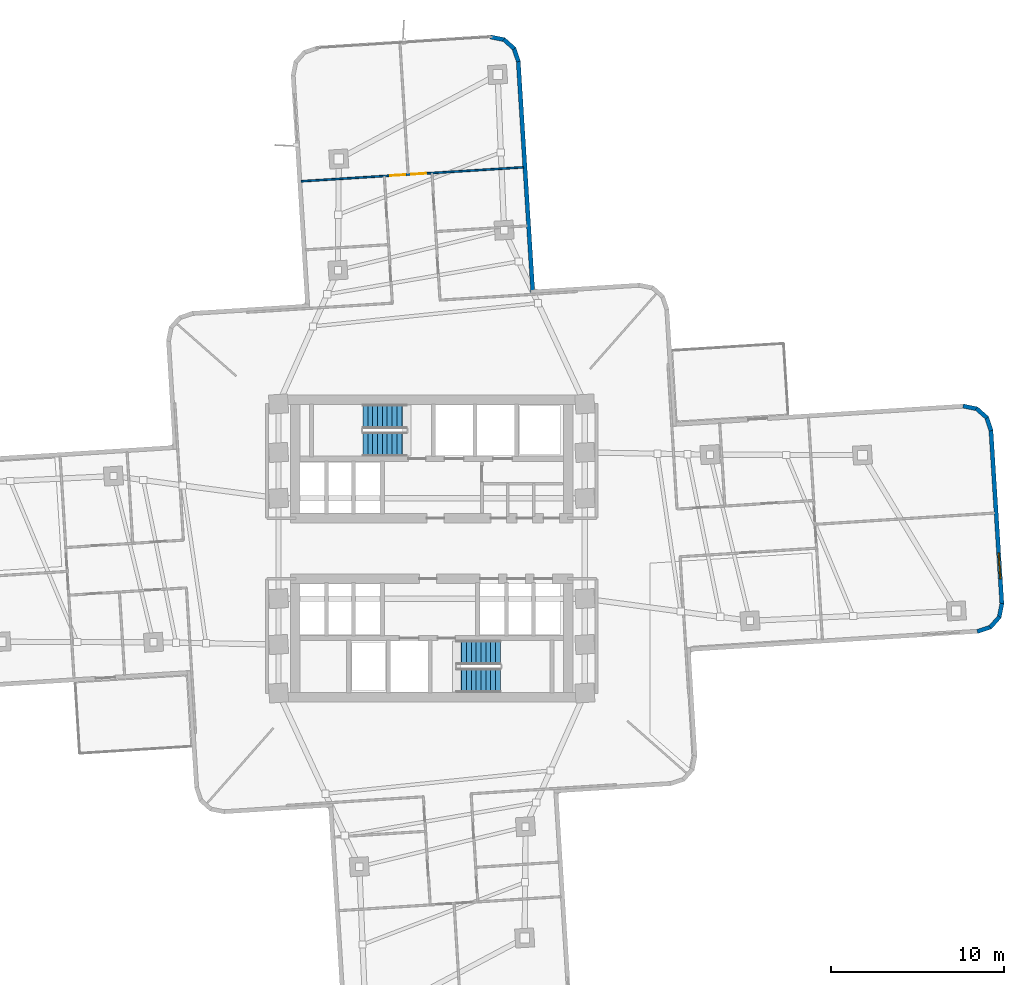
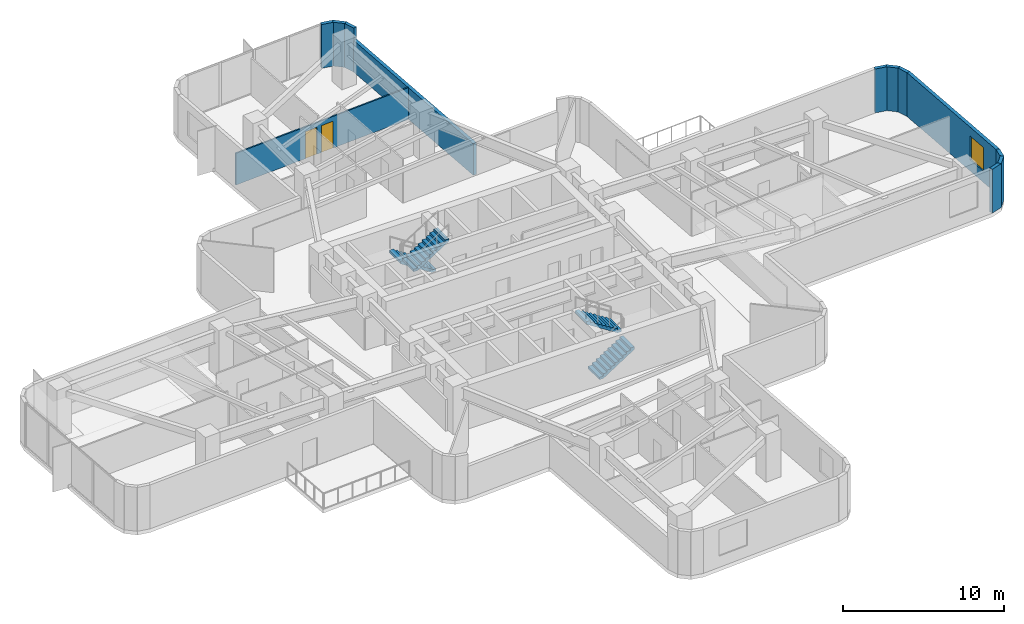
# One storey, part 11 of 16: 12 walls, 4 stair flights, 2 doors, 1 window, 3 openings, 2 elements without a shape of their own.
"""IFC4 building model written with IfcOpenShell, lengths in metres."""

from ifc_helpers import new_model, si_unit, direction, frame, frame_2d, origin, place, context, subcontext, project, spatial, polyline, rectangle, outline, extrude, material, layer, layer_set, type_object, element, fill, aggregate, save


model = new_model("IFC4")

# Units and contexts
model_context = context("Model", 3, precision=1e-05, world=origin(), true_north=direction((0.0, 1.0)))
body_context = subcontext(model_context, "Body", "Model", "MODEL_VIEW")
ifc_project = project(units=[si_unit("LENGTHUNIT", "METRE"), si_unit("AREAUNIT", "SQUARE_METRE"), si_unit("VOLUMEUNIT", "CUBIC_METRE"), si_unit("PLANEANGLEUNIT", "RADIAN"), si_unit("MASSUNIT", "GRAM", prefix="KILO")], contexts=[model_context])

# Site, building, storey
site_placement = place(None, origin())
site = spatial("IfcSite", under=ifc_project, at=site_placement, CompositionType="ELEMENT")
building_placement = place(site_placement, origin())
building = spatial("IfcBuilding", under=site, at=building_placement, Name="Solmarez Civic Tower", CompositionType="ELEMENT")
storey_placement = place(building_placement, frame((0.0, 0.0, 53.280029296875)))
storey = spatial("IfcBuildingStorey", under=building, at=storey_placement, Name="L13", CompositionType="ELEMENT", Elevation=53.280029296875)

# Walls
ifc_material_1 = material(Name="Precast concrete C40/50", Category="concrete")
ifc_layer_1 = layer(ifc_material_1, 0.239990234375)
ifc_layer_set_1 = layer_set([ifc_layer_1], Name="Precast concrete C40/50")
wall_type_1 = type_object("IfcWallType", Name="WALL-EXT-240", PredefinedType="SOLIDWALL", material=ifc_layer_set_1)
wall_1_placement = place(storey_placement, frame((3.389892578125, 29.55810546875, 0.0), z_axis=(0.0, 0.0, 1.0), x_axis=(0.980342817353, -0.19730169909, 0.0)))
element("IfcWall", 1, at=wall_1_placement, inside=storey, type_object=wall_type_1, Name="L13 Exterior Precast Wall 25", PredefinedType="SOLIDWALL", context=body_context, shape_type="SweptSolid", body=[
    extrude(rectangle(XDim=0.83154296875, YDim=0.239990234375, at=frame_2d((0.415771484375, 0.0))), origin(), (0.0, 0.0, 1.0), 3.320068359375),
])
wall_2_placement = place(storey_placement, frame((4.160888671875, 29.416015625, 0.0), z_axis=(0.0, 0.0, 1.0), x_axis=(0.749322176211, -0.662205614774, 0.0)))
element("IfcWall", 2, at=wall_2_placement, inside=storey, type_object=wall_type_1, Name="L13 Exterior Precast Wall 26", PredefinedType="SOLIDWALL", context=body_context, shape_type="SweptSolid", body=[
    extrude(rectangle(XDim=0.8154296875, YDim=0.239990234375, at=frame_2d((0.40771484375, 0.0))), origin(), (0.0, 0.0, 1.0), 3.320068359375),
])
wall_3_placement = place(storey_placement, frame((4.7451171875, 28.9169921875, 0.0), z_axis=(0.0, 0.0, 1.0), x_axis=(0.318960399163, -0.947768043229, 0.0)))
element("IfcWall", 3, at=wall_3_placement, inside=storey, type_object=wall_type_1, Name="L13 Exterior Precast Wall 27", PredefinedType="SOLIDWALL", context=body_context, shape_type="SweptSolid", body=[
    extrude(rectangle(XDim=0.83056640625, YDim=0.239990234375, at=frame_2d((0.415283203125, 0.0))), origin(), (0.0, 0.0, 1.0), 3.320068359375),
])
wall_4_placement = place(storey_placement, frame((5.0, 28.178955078125, 0.0), z_axis=(0.0, 0.0, 1.0), x_axis=(0.062848621891, -0.99802307124, 0.0)))
element("IfcWall", 4, at=wall_4_placement, inside=storey, type_object=wall_type_1, Name="L13 Exterior Precast Wall 28", PredefinedType="SOLIDWALL", context=body_context, shape_type="SweptSolid", body=[
    extrude(rectangle(XDim=13.4755859375, YDim=0.239990234375, at=frame_2d((6.73779296875, 0.0))), origin(), (0.0, 0.0, 1.0), 2.40087890625),
])
wall_5_placement = place(storey_placement, frame((30.702880859375, 8.23095703125, 0.0), z_axis=(0.0, 0.0, 1.0), x_axis=(0.980115061473, -0.198430003461, 0.0)))
element("IfcWall", 5, at=wall_5_placement, inside=storey, type_object=wall_type_1, Name="L13 Exterior Precast Wall 39", PredefinedType="SOLIDWALL", context=body_context, shape_type="SweptSolid", body=[
    extrude(rectangle(XDim=0.831787109375, YDim=0.239990234375, at=frame_2d((0.416015625, 0.0))), origin(), (0.0, 0.0, 1.0), 3.320068359375),
])
wall_6_placement = place(storey_placement, frame((31.47412109375, 8.087890625, 0.0), z_axis=(0.0, 0.0, 1.0), x_axis=(0.749934065497, -0.661512582954, 0.0)))
element("IfcWall", 6, at=wall_6_placement, inside=storey, type_object=wall_type_1, Name="L13 Exterior Precast Wall 40", PredefinedType="SOLIDWALL", context=body_context, shape_type="SweptSolid", body=[
    extrude(rectangle(XDim=0.814453125, YDim=0.239990234375, at=frame_2d((0.4072265625, 0.0))), origin(), (0.0, 0.0, 1.0), 3.320068359375),
])
wall_7_placement = place(storey_placement, frame((32.05810546875, 7.590087890625, 0.0), z_axis=(0.0, 0.0, 1.0), x_axis=(0.318960399163, -0.947768043229, 0.0)))
element("IfcWall", 7, at=wall_7_placement, inside=storey, type_object=wall_type_1, Name="L13 Exterior Precast Wall 41", PredefinedType="SOLIDWALL", context=body_context, shape_type="SweptSolid", body=[
    extrude(rectangle(XDim=0.83056640625, YDim=0.239990234375, at=frame_2d((0.415283203125, 0.0))), origin(), (0.0, 0.0, 1.0), 3.320068359375),
])

# Wall, opening, window
wall_8_placement = place(storey_placement, frame((32.31298828125, 6.85205078125, 0.0), z_axis=(0.0, 0.0, 1.0), x_axis=(0.062877947964, -0.998021224053, 0.0)))
wall_8 = element("IfcWall", 8, at=wall_8_placement, inside=storey, type_object=wall_type_1, Name="L13 Exterior Precast Wall 42", PredefinedType="SOLIDWALL", context=body_context, shape_type="SweptSolid", body=[
    extrude(rectangle(XDim=10.09912109375, YDim=0.239990234375, at=frame_2d((5.049560546875, 0.0))), origin(), (0.0, 0.0, 1.0), 3.320068359375),
])
opening_1_placement = place(wall_8_placement, frame((7.126953125, 0.0, 0.85009765625)))
opening_1 = element("IfcOpeningElement", 9, at=opening_1_placement, cuts=wall_8, Name="Opening W-13", PredefinedType="OPENING", context=body_context, shape_type="SweptSolid", body=[
    extrude(rectangle(XDim=1.5, YDim=1.800048828125, at=frame_2d((0.75, 0.89990234375))), frame((0.0, 0.1298828125, 0.0), z_axis=(0.0, -1.0, 0.0), x_axis=(1.0, 0.0, 0.0)), (0.0, 0.0, 1.0), 0.260009765625),
])
ifc_material_2 = material(Name="Solar Control Bronze-Tinted Insulating Glass", Category="glass")
window_type = type_object("IfcWindowType", Name="WIN-1500X1800", PartitioningType="SINGLE_PANEL", PredefinedType="WINDOW", material=ifc_material_2)
window_placement = place(opening_1_placement, origin())
window = element("IfcWindow", 10, at=window_placement, inside=storey, type_object=window_type, Name="L13 Exterior Facade Window 42", OverallHeight=1.800048828125, OverallWidth=1.5, PartitioningType="SINGLE_PANEL", PredefinedType="WINDOW", context=body_context, shape_type="SweptSolid", body=[
    extrude(rectangle(XDim=1.5, YDim=1.800048828125, at=frame_2d((0.75, 0.89990234375))), frame((0.0, 0.030029296875, 0.0), z_axis=(0.0, -1.0, 0.0), x_axis=(1.0, 0.0, 0.0)), (0.0, 0.0, 1.0), 0.06005859375),
])
fill(opening_1, window)

# Walls
wall_9_placement = place(storey_placement, frame((32.950927734375, -3.177001953125, 0.0), z_axis=(0.0, 0.0, 1.0), x_axis=(-0.197076231398, -0.980388167522, 0.0)))
element("IfcWall", 11, at=wall_9_placement, inside=storey, type_object=wall_type_1, Name="L13 Exterior Precast Wall 43", PredefinedType="SOLIDWALL", context=body_context, shape_type="SweptSolid", body=[
    extrude(rectangle(XDim=0.831298828125, YDim=0.239990234375, at=frame_2d((0.41552734375, 0.0))), origin(), (0.0, 0.0, 1.0), 3.320068359375),
])
wall_10_placement = place(storey_placement, frame((32.80908203125, -3.947998046875, 0.0), z_axis=(0.0, 0.0, 1.0), x_axis=(-0.661532449753, -0.749916540639, 0.0)))
element("IfcWall", 12, at=wall_10_placement, inside=storey, type_object=wall_type_1, Name="L13 Exterior Precast Wall 44", PredefinedType="SOLIDWALL", context=body_context, shape_type="SweptSolid", body=[
    extrude(rectangle(XDim=0.81494140625, YDim=0.239990234375, at=frame_2d((0.407470703125, 0.0))), origin(), (0.0, 0.0, 1.0), 3.320068359375),
])
wall_11_placement = place(storey_placement, frame((32.31103515625, -4.531982421875, 0.0), z_axis=(0.0, 0.0, 1.0), x_axis=(-0.94779876374, -0.318869100812, 0.0)))
element("IfcWall", 13, at=wall_11_placement, inside=storey, type_object=wall_type_1, Name="L13 Exterior Precast Wall 45", PredefinedType="SOLIDWALL", context=body_context, shape_type="SweptSolid", body=[
    extrude(rectangle(XDim=0.83154296875, YDim=0.239990234375, at=frame_2d((0.415771484375, 0.0))), origin(), (0.0, 0.0, 1.0), 3.320068359375),
])

# Wall, openings, doors
ifc_material_3 = material(Name="Gypsum Board Acoustic Steel-Stud Partition", Category="steel")
ifc_layer_2 = layer(ifc_material_3, 0.10009765625)
ifc_layer_set_2 = layer_set([ifc_layer_2], Name="Gypsum Board Acoustic Steel-Stud Partition")
wall_type_2 = type_object("IfcWallType", Name="WALL-INT-PART-100", PredefinedType="PARTITIONING", material=ifc_layer_set_2)
wall_12_placement = place(storey_placement, frame((-7.5419921875, 21.218017578125, 0.0), z_axis=(0.0, 0.0, 1.0), x_axis=(0.998027771759, 0.062773934056, 0.0)))
wall_12 = element("IfcWall", 14, at=wall_12_placement, inside=storey, type_object=wall_type_2, Name="L13 Interior Partition PT-L13-N-END", PredefinedType="PARTITIONING", context=body_context, shape_type="SweptSolid", body=[
    extrude(rectangle(XDim=12.869384765625, YDim=0.10009765625, at=frame_2d((6.4345703125, 0.0))), origin(), (0.0, 0.0, 1.0), 2.40087890625),
])
opening_2_placement = place(wall_12_placement, frame((6.364990234375, 0.0, 0.0)))
opening_2 = element("IfcOpeningElement", 15, at=opening_2_placement, cuts=wall_12, Name="Opening D-14", PredefinedType="OPENING", context=body_context, shape_type="SweptSolid", body=[
    extrude(rectangle(XDim=0.860107421875, YDim=2.0400390625, at=frame_2d((0.43017578125, 1.02001953125))), frame((0.0, 0.06005859375, 0.0), z_axis=(0.0, -1.0, 0.0), x_axis=(1.0, 0.0, 0.0)), (0.0, 0.0, 1.0), 0.1201171875),
])
opening_3_placement = place(wall_12_placement, frame((5.1650390625, 0.0, 0.0)))
opening_3 = element("IfcOpeningElement", 16, at=opening_3_placement, cuts=wall_12, Name="Opening D-14", PredefinedType="OPENING", context=body_context, shape_type="SweptSolid", body=[
    extrude(rectangle(XDim=0.860107421875, YDim=2.0400390625, at=frame_2d((0.43017578125, 1.02001953125))), frame((0.0, 0.06005859375, 0.0), z_axis=(0.0, -1.0, 0.0), x_axis=(1.0, 0.0, 0.0)), (0.0, 0.0, 1.0), 0.1201171875),
])
ifc_material_4 = material(Name="Timber Storage and Pantry Door", Category="wood")
door_type = type_object("IfcDoorType", Name="DOOR-INT-850", OperationType="NOTDEFINED", PredefinedType="DOOR", material=ifc_material_4)
door_1_placement = place(opening_2_placement, origin())
door_1 = element("IfcDoor", 17, at=door_1_placement, inside=storey, type_object=door_type, Name="L13 Municipal Law Library Sixth North Door", OperationType="SINGLE_SWING_RIGHT", OverallHeight=2.0400390625, OverallWidth=0.860107421875, PredefinedType="DOOR", context=body_context, shape_type="SweptSolid", body=[
    extrude(rectangle(XDim=0.860107421875, YDim=2.0400390625, at=frame_2d((0.43017578125, 1.02001953125))), frame((0.0, 0.02490234375, 0.0), z_axis=(0.0, -1.0, 0.0), x_axis=(1.0, 0.0, 0.0)), (0.0, 0.0, 1.0), 0.050048828125),
])
fill(opening_2, door_1)
door_2_placement = place(opening_3_placement, origin())
door_2 = element("IfcDoor", 18, at=door_2_placement, inside=storey, type_object=door_type, Name="L13 Policy Administration Office Fifth North Door", OperationType="SINGLE_SWING_LEFT", OverallHeight=2.0400390625, OverallWidth=0.860107421875, PredefinedType="DOOR", context=body_context, shape_type="SweptSolid", body=[
    extrude(rectangle(XDim=0.860107421875, YDim=2.0400390625, at=frame_2d((0.43017578125, 1.02001953125))), frame((0.0, 0.02490234375, 0.0), z_axis=(0.0, -1.0, 0.0), x_axis=(1.0, 0.0, 0.0)), (0.0, 0.0, 1.0), 0.050048828125),
])
fill(opening_3, door_2)

# Stair, stair flights
ifc_material_5 = material(Name="Concrete C50/60", Category="concrete")
stair_type = type_object("IfcStairType", Name="STAIR-DOGLEG-140W-20R-1800", PredefinedType="HALF_TURN_STAIR", material=ifc_material_5)
stair_1_placement = place(storey_placement, origin())
stair_1 = element("IfcStair", 19, at=stair_1_placement, inside=storey, type_object=stair_type, Name="L13 North Core Protected Exit Stair ST-1", PredefinedType="HALF_TURN_STAIR")
stair_flight_type = type_object("IfcStairFlightType", Name="FLIGHT-DOGLEG-140W-10R-1800", PredefinedType="STRAIGHT", material=ifc_material_5)
stair_flight_1_placement = place(storey_placement, frame((-1.449951171875, 7.6201171875, 0.0), z_axis=(0.0, 0.0, 1.0), x_axis=(-1.0, 0.0, 0.0)))
stair_flight_1 = element("IfcStairFlight", 20, at=stair_flight_1_placement, type_object=stair_flight_type, Name="ST-1 flight 1", NumberOfRisers=10, NumberOfTreads=9, PredefinedType="STRAIGHT", RiserHeight=0.18, TreadLength=0.28, context=body_context, shape_type="SweptSolid", body=[
    extrude(outline(polyline([(0.0, 0.0), (0.0, 0.179931640625), (0.280029296875, 0.179931640625), (0.280029296875, 0.360107421875), (0.56005859375, 0.360107421875), (0.56005859375, 0.5400390625), (0.840087890625, 0.5400390625), (0.840087890625, 0.719970703125), (1.1201171875, 0.719970703125), (1.1201171875, 0.89990234375), (1.39990234375, 0.89990234375), (1.39990234375, 1.080078125), (1.679931640625, 1.080078125), (1.679931640625, 1.260009765625), (1.9599609375, 1.260009765625), (1.9599609375, 1.43994140625), (2.239990234375, 1.43994140625), (2.239990234375, 1.6201171875), (2.52001953125, 1.6201171875), (2.52001953125, 1.800048828125), (2.52001953125, 1.429931640625), (0.295654296875, 0.0), (0.0, 0.0)])), frame((0.0, 0.699951171875, 0.0), z_axis=(0.0, -1.0, 0.0), x_axis=(1.0, 0.0, 0.0)), (0.0, 0.0, 1.0), 1.39990234375),
])
stair_flight_2_placement = place(storey_placement, frame((-3.969970703125, 6.02001953125, 1.800048828125), z_axis=(0.0, 0.0, 1.0), x_axis=(1.0, 0.0, 0.0)))
stair_flight_2 = element("IfcStairFlight", 21, at=stair_flight_2_placement, type_object=stair_flight_type, Name="ST-1 flight 2", NumberOfRisers=10, NumberOfTreads=9, PredefinedType="STRAIGHT", RiserHeight=0.18, TreadLength=0.28, context=body_context, shape_type="SweptSolid", body=[
    extrude(outline(polyline([(0.0, 0.0), (0.0, 0.179931640625), (0.280029296875, 0.179931640625), (0.280029296875, 0.360107421875), (0.56005859375, 0.360107421875), (0.56005859375, 0.5400390625), (0.840087890625, 0.5400390625), (0.840087890625, 0.719970703125), (1.1201171875, 0.719970703125), (1.1201171875, 0.89990234375), (1.39990234375, 0.89990234375), (1.39990234375, 1.080078125), (1.679931640625, 1.080078125), (1.679931640625, 1.260009765625), (1.9599609375, 1.260009765625), (1.9599609375, 1.43994140625), (2.239990234375, 1.43994140625), (2.239990234375, 1.6201171875), (2.52001953125, 1.6201171875), (2.52001953125, 1.800048828125), (2.52001953125, 1.429931640625), (0.295654296875, 0.0), (0.0, 0.0)])), frame((0.0, 0.699951171875, 0.0), z_axis=(0.0, -1.0, 0.0), x_axis=(1.0, 0.0, 0.0)), (0.0, 0.0, 1.0), 1.39990234375),
])
aggregate(stair_1, [stair_flight_1, stair_flight_2])

stair_2_placement = place(storey_placement, origin())
stair_2 = element("IfcStair", 22, at=stair_2_placement, inside=storey, type_object=stair_type, Name="L13 South Core Protected Exit Stair ST-2", PredefinedType="HALF_TURN_STAIR")
stair_flight_3_placement = place(storey_placement, frame((1.449951171875, -7.6201171875, 0.0), z_axis=(0.0, 0.0, 1.0), x_axis=(1.0, 0.0, 0.0)))
stair_flight_3 = element("IfcStairFlight", 23, at=stair_flight_3_placement, type_object=stair_flight_type, Name="ST-2 flight 1", NumberOfRisers=10, NumberOfTreads=9, PredefinedType="STRAIGHT", RiserHeight=0.18, TreadLength=0.28, context=body_context, shape_type="SweptSolid", body=[
    extrude(outline(polyline([(0.0, 0.0), (0.0, 0.179931640625), (0.280029296875, 0.179931640625), (0.280029296875, 0.360107421875), (0.56005859375, 0.360107421875), (0.56005859375, 0.5400390625), (0.840087890625, 0.5400390625), (0.840087890625, 0.719970703125), (1.1201171875, 0.719970703125), (1.1201171875, 0.89990234375), (1.39990234375, 0.89990234375), (1.39990234375, 1.080078125), (1.679931640625, 1.080078125), (1.679931640625, 1.260009765625), (1.9599609375, 1.260009765625), (1.9599609375, 1.43994140625), (2.239990234375, 1.43994140625), (2.239990234375, 1.6201171875), (2.52001953125, 1.6201171875), (2.52001953125, 1.800048828125), (2.52001953125, 1.429931640625), (0.295654296875, 0.0), (0.0, 0.0)])), frame((0.0, 0.699951171875, 0.0), z_axis=(0.0, -1.0, 0.0), x_axis=(1.0, 0.0, 0.0)), (0.0, 0.0, 1.0), 1.39990234375),
])
stair_flight_4_placement = place(storey_placement, frame((3.969970703125, -6.02001953125, 1.800048828125), z_axis=(0.0, 0.0, 1.0), x_axis=(-1.0, 0.0, 0.0)))
stair_flight_4 = element("IfcStairFlight", 24, at=stair_flight_4_placement, type_object=stair_flight_type, Name="ST-2 flight 2", NumberOfRisers=10, NumberOfTreads=9, PredefinedType="STRAIGHT", RiserHeight=0.18, TreadLength=0.28, context=body_context, shape_type="SweptSolid", body=[
    extrude(outline(polyline([(0.0, 0.0), (0.0, 0.179931640625), (0.280029296875, 0.179931640625), (0.280029296875, 0.360107421875), (0.56005859375, 0.360107421875), (0.56005859375, 0.5400390625), (0.840087890625, 0.5400390625), (0.840087890625, 0.719970703125), (1.1201171875, 0.719970703125), (1.1201171875, 0.89990234375), (1.39990234375, 0.89990234375), (1.39990234375, 1.080078125), (1.679931640625, 1.080078125), (1.679931640625, 1.260009765625), (1.9599609375, 1.260009765625), (1.9599609375, 1.43994140625), (2.239990234375, 1.43994140625), (2.239990234375, 1.6201171875), (2.52001953125, 1.6201171875), (2.52001953125, 1.800048828125), (2.52001953125, 1.429931640625), (0.295654296875, 0.0), (0.0, 0.0)])), frame((0.0, 0.699951171875, 0.0), z_axis=(0.0, -1.0, 0.0), x_axis=(1.0, 0.0, 0.0)), (0.0, 0.0, 1.0), 1.39990234375),
])
aggregate(stair_2, [stair_flight_3, stair_flight_4])

save(model, "model.ifc")
